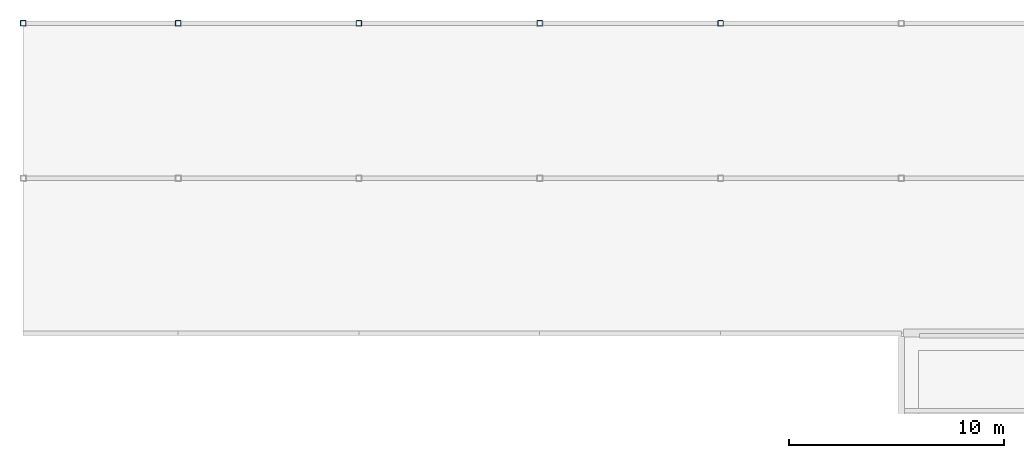
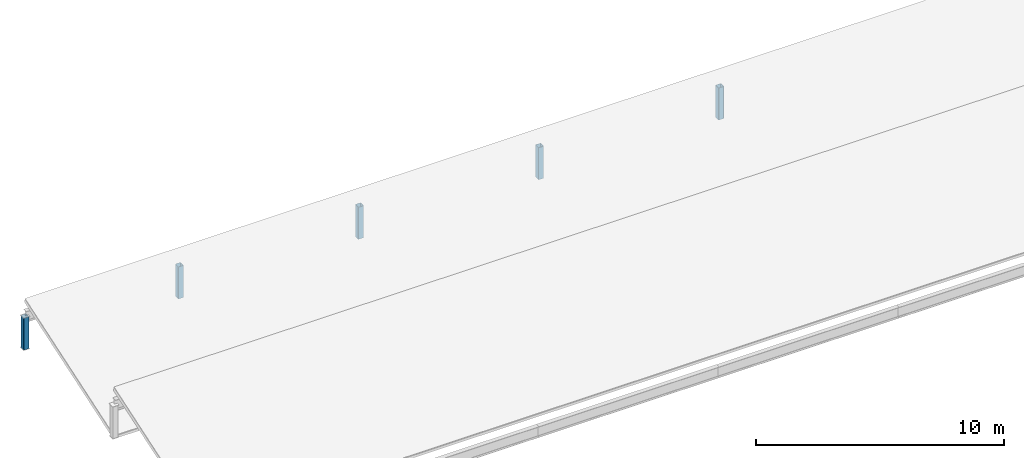
# One storey, part 12 of 72: 5 columns.
"""IFC4 building model written with IfcOpenShell, lengths in metres."""

from ifc_helpers import new_model, si_unit, direction, frame, origin, origin_2d, place, context, subcontext, project, spatial, hollow_rectangle, extrude, material, material_profile, profile_set, type_object, element, save


model = new_model("IFC4")

# Units and contexts
model_context = context("Model", 3, precision=1e-05, world=origin(), true_north=direction((0.0, 1.0)))
body_context = subcontext(model_context, "Body", "Model", "MODEL_VIEW")
ifc_project = project(units=[si_unit("LENGTHUNIT", "METRE"), si_unit("AREAUNIT", "SQUARE_METRE"), si_unit("VOLUMEUNIT", "CUBIC_METRE"), si_unit("PLANEANGLEUNIT", "RADIAN"), si_unit("MASSUNIT", "GRAM", prefix="KILO")], contexts=[model_context])

# Site, building, storey
site_placement = place(None, origin())
site = spatial("IfcSite", under=ifc_project, at=site_placement, CompositionType="ELEMENT")
building_placement = place(site_placement, origin())
building = spatial("IfcBuilding", under=site, at=building_placement, Name="Calvrana Isthmian Art Gallery", CompositionType="ELEMENT")
storey_placement = place(building_placement, frame((0.0, 0.0, 15.0)))
storey = spatial("IfcBuildingStorey", under=building, at=storey_placement, Name="L03", CompositionType="ELEMENT", Elevation=15.0)

# Columns
ifc_material = material(Name="Steel ASTM A500 Gr C", Category="steel")
ifc_material_profile = material_profile(ifc_material, hollow_rectangle(XDim=0.25390625, YDim=0.25390625, WallThickness=0.0126953125, OuterFilletRadius=0.02490234375, at=origin_2d()), Name="HSS254X254X12.7")
ifc_profile_set = profile_set([ifc_material_profile], Name="Steel ASTM A500 Gr C")
column_type = type_object("IfcColumnType", Name="COL-STL-HSS254X254X12.7", PredefinedType="COLUMN", material=ifc_profile_set)
for number, where, z_axis, x_axis, name in (
    (1, (14.39990234375, 112.800048828125, 0.0), (0.0, 0.0, 1.0), (1.0, 0.0, 0.0), "Roof ridge post L03-14"),
    (2, (21.60009765625, 112.800048828125, 0.0), (0.0, 0.0, 1.0), (1.0, 0.0, 0.0), "Roof ridge post L03-15"),
    (3, (30.0, 112.800048828125, 0.0), (0.0, 0.0, 1.0), (1.0, 0.0, 0.0), "Roof ridge post L03-16"),
    (4, (38.39990234375, 112.800048828125, 0.0), (0.0, 0.0, 1.0), (1.0, 0.0, 0.0), "Roof ridge post L03-17"),
    (5, (46.800048828125, 112.800048828125, 0.0), (0.0, 0.0, 1.0), (1.0, 0.0, 0.0), "Roof ridge post L03-18"),
):
    element("IfcColumn", number, at=place(storey_placement, frame(where, z_axis=z_axis, x_axis=x_axis)), inside=storey, type_object=column_type, Name=name, PredefinedType="COLUMN", context=body_context, shape_type="SweptSolid", body=[
        extrude(hollow_rectangle(XDim=0.25390625, YDim=0.25390625, WallThickness=0.0126953125, OuterFilletRadius=0.02490234375, at=origin_2d()), origin(), (0.0, 0.0, 1.0), 1.580078125),
    ])

save(model, "model.ifc")
